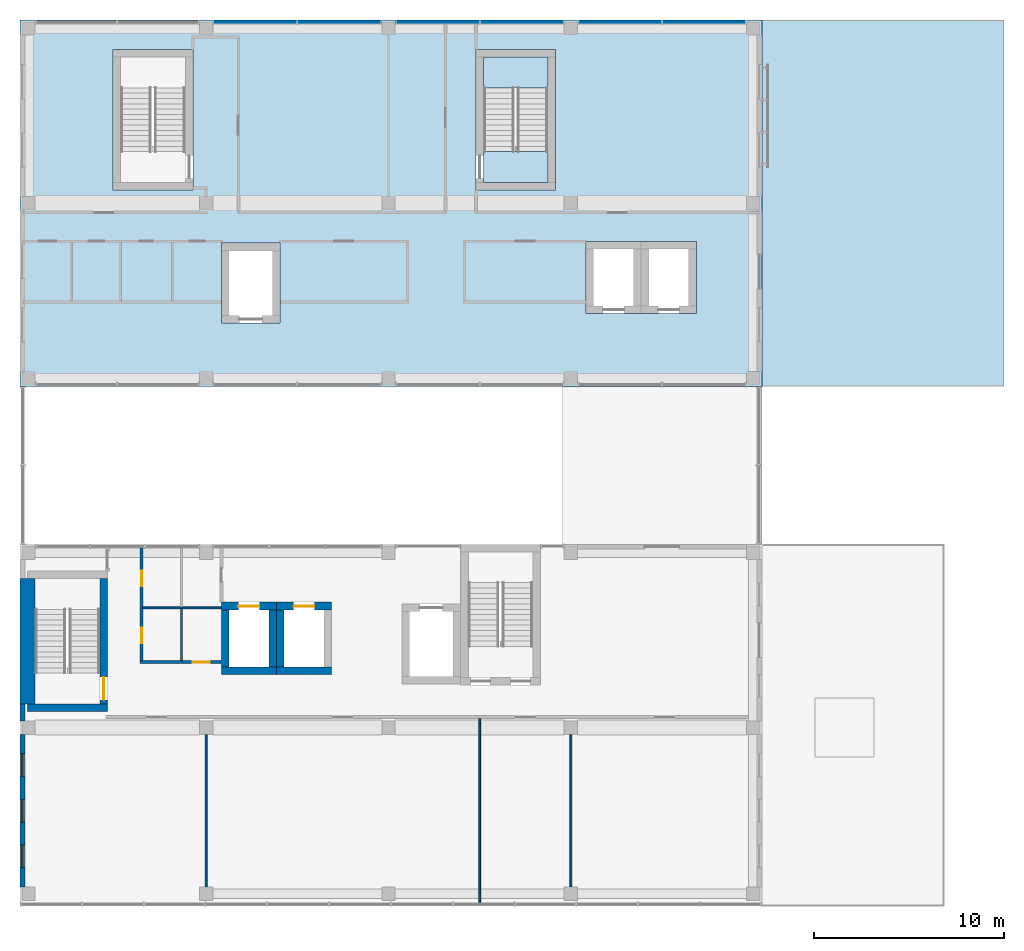
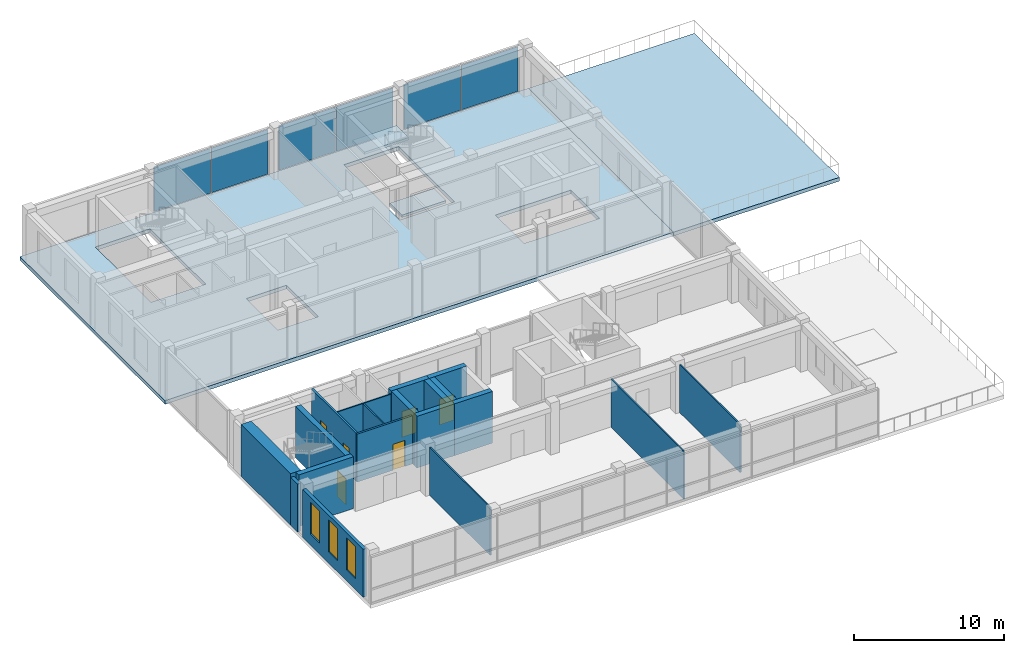
# One storey, part 18 of 27: 19 walls, 6 doors, 6 plates, 4 slabs, 3 windows, 9 openings, 4 elements without a shape of their own.
"""IFC4 building model written with IfcOpenShell, lengths in metres."""

from ifc_helpers import new_model, si_unit, direction, frame, frame_2d, origin, origin_2d, place, context, subcontext, project, spatial, polyline, rectangle, outline, extrude, material, layer, layer_set, layer_usage, type_object, element, fill, aggregate, save


model = new_model("IFC4")

# Units and contexts
model_context = context("Model", 3, precision=1e-05, world=origin(), true_north=direction((0.0, 1.0)))
body_context = subcontext(model_context, "Body", "Model", "MODEL_VIEW")
ifc_project = project(units=[si_unit("LENGTHUNIT", "METRE"), si_unit("AREAUNIT", "SQUARE_METRE"), si_unit("VOLUMEUNIT", "CUBIC_METRE"), si_unit("PLANEANGLEUNIT", "RADIAN"), si_unit("MASSUNIT", "GRAM", prefix="KILO")], contexts=[model_context])

# Site, building, storey
site_placement = place(None, origin())
site = spatial("IfcSite", under=ifc_project, at=site_placement, CompositionType="ELEMENT")
building_placement = place(site_placement, origin())
building = spatial("IfcBuilding", under=site, at=building_placement, Name="Nzadi Deep Aquarium and Research Tower", CompositionType="ELEMENT")
storey_placement = place(building_placement, frame((0.0, 0.0, 69.699951171875)))
storey = spatial("IfcBuildingStorey", under=building, at=storey_placement, Name="L14", CompositionType="ELEMENT", Elevation=69.699951171875)

# Curtain wall, plates
ifc_material_1 = material(Name="Aluminium unitised frame deep", Category="aluminium")
ifc_layer_1 = layer(ifc_material_1, 0.22509765625)
ifc_layer_set_1 = layer_set([ifc_layer_1], Name="Aluminium unitised frame deep")
curtain_wall_type = type_object("IfcCurtainWallType", Name="Curtain wall Unitised Deep 225", PredefinedType="NOTDEFINED", material=ifc_layer_set_1)
curtain_wall_1_placement = place(storey_placement, origin())
curtain_wall_1 = element("IfcCurtainWall", 1, at=curtain_wall_1_placement, inside=storey, type_object=curtain_wall_type, Name="Unitised curtain wall blade B north L14", PredefinedType="NOTDEFINED")
ifc_material_2 = material(Name="Glass, sage tint", Category="glass")
ifc_layer_2 = layer(ifc_material_2, 0.0400390625)
ifc_layer_set_2 = layer_set([ifc_layer_2], Name="Glass, sage tint")
plate_type = type_object("IfcPlateType", Name="Glazing panel 40 Unitised Deep", PredefinedType="CURTAIN_PANEL", material=ifc_layer_set_2)
plate_1_placement = place(storey_placement, frame((12.18994140625, 46.33740234375, 0.139892578125), z_axis=(0.0, 0.0, 1.0), x_axis=(1.0, 0.0, 0.0)))
plate_1 = element("IfcPlate", 2, at=plate_1_placement, type_object=plate_type, Name="CW181 panel 1.1", PredefinedType="CURTAIN_PANEL", context=body_context, shape_type="SweptSolid", body=[
    extrude(rectangle(XDim=4.360107421875, YDim=0.0400390625, at=origin_2d()), origin(), (0.0, 0.0, 1.0), 3.6201171875),
])
plate_2_placement = place(storey_placement, frame((16.610107421875, 46.33740234375, 0.139892578125), z_axis=(0.0, 0.0, 1.0), x_axis=(1.0, 0.0, 0.0)))
plate_2 = element("IfcPlate", 3, at=plate_2_placement, type_object=plate_type, Name="CW181 panel 2.1", PredefinedType="CURTAIN_PANEL", context=body_context, shape_type="SweptSolid", body=[
    extrude(rectangle(XDim=4.360107421875, YDim=0.0400390625, at=origin_2d()), origin(), (0.0, 0.0, 1.0), 3.6201171875),
])
aggregate(curtain_wall_1, [plate_1, plate_2])

curtain_wall_2_placement = place(storey_placement, origin())
curtain_wall_2 = element("IfcCurtainWall", 4, at=curtain_wall_2_placement, inside=storey, type_object=curtain_wall_type, Name="Unitised curtain wall blade B north L14", PredefinedType="NOTDEFINED")
plate_3_placement = place(storey_placement, frame((21.7900390625, 46.33740234375, 0.139892578125), z_axis=(0.0, 0.0, 1.0), x_axis=(1.0, 0.0, 0.0)))
plate_3 = element("IfcPlate", 5, at=plate_3_placement, type_object=plate_type, Name="CW182 panel 1.1", PredefinedType="CURTAIN_PANEL", context=body_context, shape_type="SweptSolid", body=[
    extrude(rectangle(XDim=4.360107421875, YDim=0.0400390625, at=origin_2d()), origin(), (0.0, 0.0, 1.0), 3.6201171875),
])
plate_4_placement = place(storey_placement, frame((26.2099609375, 46.33740234375, 0.139892578125), z_axis=(0.0, 0.0, 1.0), x_axis=(1.0, 0.0, 0.0)))
plate_4 = element("IfcPlate", 6, at=plate_4_placement, type_object=plate_type, Name="CW182 panel 2.1", PredefinedType="CURTAIN_PANEL", context=body_context, shape_type="SweptSolid", body=[
    extrude(rectangle(XDim=4.360107421875, YDim=0.0400390625, at=origin_2d()), origin(), (0.0, 0.0, 1.0), 3.6201171875),
])
aggregate(curtain_wall_2, [plate_3, plate_4])

curtain_wall_3_placement = place(storey_placement, origin())
curtain_wall_3 = element("IfcCurtainWall", 7, at=curtain_wall_3_placement, inside=storey, type_object=curtain_wall_type, Name="Unitised curtain wall blade B north L14", PredefinedType="NOTDEFINED")
plate_5_placement = place(storey_placement, frame((31.389892578125, 46.33740234375, 0.139892578125), z_axis=(0.0, 0.0, 1.0), x_axis=(1.0, 0.0, 0.0)))
plate_5 = element("IfcPlate", 8, at=plate_5_placement, type_object=plate_type, Name="CW183 panel 1.1", PredefinedType="CURTAIN_PANEL", context=body_context, shape_type="SweptSolid", body=[
    extrude(rectangle(XDim=4.360107421875, YDim=0.0400390625, at=origin_2d()), origin(), (0.0, 0.0, 1.0), 3.6201171875),
])
plate_6_placement = place(storey_placement, frame((35.81005859375, 46.33740234375, 0.139892578125), z_axis=(0.0, 0.0, 1.0), x_axis=(1.0, 0.0, 0.0)))
plate_6 = element("IfcPlate", 9, at=plate_6_placement, type_object=plate_type, Name="CW183 panel 2.1", PredefinedType="CURTAIN_PANEL", context=body_context, shape_type="SweptSolid", body=[
    extrude(rectangle(XDim=4.360107421875, YDim=0.0400390625, at=origin_2d()), origin(), (0.0, 0.0, 1.0), 3.6201171875),
])
aggregate(curtain_wall_3, [plate_5, plate_6])

# Stair, slabs
ifc_material_3 = material(Name="Concrete C35/45", Category="concrete")
stair_type = type_object("IfcStairType", Name="STAIR RETURN 3000", PredefinedType="NOTDEFINED", material=ifc_material_3)
stair_placement = place(storey_placement, origin())
stair = element("IfcStair", 10, at=stair_placement, inside=storey, type_object=stair_type, Name="Stair ST-Z1-NE L14", PredefinedType="HALF_TURN_STAIR")
ifc_material_4 = material(Name="Concrete C35/45", Category="concrete")
ifc_layer_3 = layer(ifc_material_4, 0.199951171875)
ifc_layer_set_3 = layer_set([ifc_layer_3], Name="Concrete C35/45")
slab_type_1 = type_object("IfcSlabType", Name="LANDING 200", PredefinedType="LANDING", material=ifc_layer_set_3)
slab_1_placement = place(storey_placement, frame((0.0, 0.0, -0.199951171875)))
slab_1 = element("IfcSlab", 11, at=slab_1_placement, type_object=slab_type_1, Name="ST-Z1-NE landing 1", PredefinedType="LANDING", context=body_context, shape_type="SweptSolid", body=[
    extrude(outline(polyline([(24.199951171875, 37.89990234375), (27.60009765625, 37.89990234375), (27.60009765625, 39.52001953125), (24.199951171875, 39.52001953125), (24.199951171875, 37.89990234375)])), origin(), (0.0, 0.0, 1.0), 0.199951171875),
])
slab_2_placement = place(storey_placement, frame((0.0, 0.0, 1.900146484375)))
slab_2 = element("IfcSlab", 12, at=slab_2_placement, type_object=slab_type_1, Name="ST-Z1-NE landing 2", PredefinedType="LANDING", context=body_context, shape_type="SweptSolid", body=[
    extrude(outline(polyline([(24.199951171875, 42.8798828125), (27.60009765625, 42.8798828125), (27.60009765625, 44.5), (24.199951171875, 44.5), (24.199951171875, 42.8798828125)])), origin(), (0.0, 0.0, 1.0), 0.199951171875),
])
aggregate(stair, [slab_1, slab_2])

# Slabs
ifc_material_5 = material(Name="Concrete C35/45", Category="concrete")
ifc_layer_4 = layer(ifc_material_5, 0.300048828125)
ifc_layer_set_4 = layer_set([ifc_layer_4], Name="Concrete C35/45")
slab_type_2 = type_object("IfcSlabType", Name="RC floor slab 300", PredefinedType="FLOOR", material=ifc_layer_set_4)
slab_3_placement = place(storey_placement, frame((0.0, 0.0, -0.300048828125)))
element("IfcSlab", 13, at=slab_3_placement, inside=storey, type_object=slab_type_2, Name="Tower floor B L14", PredefinedType="FLOOR", context=body_context, shape_type="SweptSolid", body=[
    extrude(outline(polyline([(-0.199462890625, 27.14990234375), (38.85009765625, 27.14990234375), (38.85009765625, 46.449951171875), (-0.199462890625, 46.449951171875), (-0.199462890625, 27.14990234375)]), holes=[polyline([(8.89990234375, 44.89990234375), (8.89990234375, 37.5), (4.699951171875, 37.5), (4.699951171875, 44.89990234375), (8.89990234375, 44.89990234375)]), polyline([(28.0, 37.5), (23.800048828125, 37.5), (23.800048828125, 44.89990234375), (28.0, 44.89990234375), (28.0, 37.5)]), polyline([(10.39990234375, 30.5), (10.39990234375, 34.699951171875), (13.5, 34.699951171875), (13.5, 30.5), (10.39990234375, 30.5)]), polyline([(29.60009765625, 34.800048828125), (32.5, 34.800048828125), (35.39990234375, 34.800048828125), (35.39990234375, 31.0), (32.5, 31.0), (29.60009765625, 31.0), (29.60009765625, 34.800048828125)])]), origin(), (0.0, 0.0, 1.0), 0.300048828125),
])
ifc_material_6 = material(Name="Concrete C35/45", Category="concrete")
ifc_layer_5 = layer(ifc_material_6, 0.300048828125)
ifc_layer_set_5 = layer_set([ifc_layer_5], Name="Concrete C35/45")
slab_type_3 = type_object("IfcSlabType", Name="RC roof slab 300", PredefinedType="ROOF", material=ifc_layer_set_5)
slab_4_placement = place(storey_placement, frame((0.0, 0.0, -0.300048828125)))
element("IfcSlab", 14, at=slab_4_placement, inside=storey, type_object=slab_type_3, Name="Terrace B L14", PredefinedType="ROOF", context=body_context, shape_type="SweptSolid", body=[
    extrude(outline(polyline([(51.60009765625, 27.14990234375), (51.60009765625, 46.449951171875), (38.85009765625, 46.449951171875), (38.85009765625, 27.14990234375), (51.60009765625, 27.14990234375)])), origin(), (0.0, 0.0, 1.0), 0.300048828125),
])

# Wall
ifc_material_7 = material(Name="Concrete C35/45", Category="concrete")
ifc_layer_6 = layer(ifc_material_7, 0.14990234375, Category="cladding")
ifc_material_8 = material(Name="Mineral wool insulation")
ifc_layer_7 = layer(ifc_material_8, 0.070068359375, Category="insulation")
ifc_material_9 = material(Name="Gypsum board lining")
ifc_layer_8 = layer(ifc_material_9, 0.030029296875, Category="lining")
ifc_layer_set_6 = layer_set([ifc_layer_6, ifc_layer_7, ifc_layer_8], Name="Concrete C35/45, Mineral wool insulation, Gypsum board lining")
ifc_layer_usage_1 = layer_usage(ifc_layer_set_6, "AXIS2", "POSITIVE", -0.125)
wall_type_1 = type_object("IfcWallType", Name="End wall board-formed concrete 250", PredefinedType="ELEMENTEDWALL", material=ifc_layer_set_6)
wall_1_placement = place(storey_placement, frame((-0.074462890625, 10.449951171875, 0.0), z_axis=(0.0, 0.0, 1.0), x_axis=(0.0, -1.0, 0.0)))
element("IfcWall", 15, at=wall_1_placement, inside=storey, type_object=wall_type_1, material=ifc_layer_usage_1, Name="End wall blade A west L14", PredefinedType="ELEMENTEDWALL", context=body_context, shape_type="SweptSolid", body=[
    extrude(rectangle(XDim=0.89990234375, YDim=0.25, at=frame_2d((0.449951171875, 0.0))), origin(), (0.0, 0.0, 1.0), 3.900146484375),
])

# Wall, openings, windows
ifc_material_10 = material(Name="Graphite aluminium shingle", Category="aluminium")
ifc_layer_9 = layer(ifc_material_10, 0.050048828125, Category="cladding")
ifc_layer_10 = layer(ifc_material_7, 0.10009765625, Category="cladding")
ifc_layer_11 = layer(ifc_material_8, 0.070068359375, Category="insulation")
ifc_layer_12 = layer(ifc_material_9, 0.030029296875, Category="lining")
ifc_layer_set_7 = layer_set([ifc_layer_9, ifc_layer_10, ifc_layer_11, ifc_layer_12], Name="Graphite aluminium shingle, Concrete C35/45, Mineral wool insulation, Gypsum board lining")
ifc_layer_usage_2 = layer_usage(ifc_layer_set_7, "AXIS2", "POSITIVE", -0.125)
wall_type_2 = type_object("IfcWallType", Name="End wall shingle over board-formed concrete 250", PredefinedType="ELEMENTEDWALL", material=ifc_layer_set_7)
wall_2_placement = place(storey_placement, frame((-0.074462890625, 8.85009765625, 0.0), z_axis=(0.0, 0.0, 1.0), x_axis=(0.0, -1.0, 0.0)))
wall_2 = element("IfcWall", 16, at=wall_2_placement, inside=storey, type_object=wall_type_2, material=ifc_layer_usage_2, Name="End wall blade A west L14", PredefinedType="ELEMENTEDWALL", context=body_context, shape_type="SweptSolid", body=[
    extrude(rectangle(XDim=8.050048828125, YDim=0.25, at=frame_2d((4.02490234375, 0.0))), origin(), (0.0, 0.0, 1.0), 3.900146484375),
])
opening_1_placement = place(wall_2_placement, frame((5.824951171875, 0.0, 0.89990234375)))
opening_1 = element("IfcOpeningElement", 17, at=opening_1_placement, cuts=wall_2, Name="Opening WN04", PredefinedType="OPENING", context=body_context, shape_type="SweptSolid", body=[
    extrude(rectangle(XDim=1.199951171875, YDim=2.60009765625, at=frame_2d((0.60009765625, 1.300048828125))), frame((0.0, 0.135009765625, 0.0), z_axis=(0.0, -1.0, 0.0), x_axis=(1.0, 0.0, 0.0)), (0.0, 0.0, 1.0), 0.27001953125),
])
opening_2_placement = place(wall_2_placement, frame((3.425048828125, 0.0, 0.89990234375)))
opening_2 = element("IfcOpeningElement", 18, at=opening_2_placement, cuts=wall_2, Name="Opening WN04", PredefinedType="OPENING", context=body_context, shape_type="SweptSolid", body=[
    extrude(rectangle(XDim=1.199951171875, YDim=2.60009765625, at=frame_2d((0.60009765625, 1.300048828125))), frame((0.0, 0.135009765625, 0.0), z_axis=(0.0, -1.0, 0.0), x_axis=(1.0, 0.0, 0.0)), (0.0, 0.0, 1.0), 0.27001953125),
])
opening_3_placement = place(wall_2_placement, frame((1.02490234375, 0.0, 0.89990234375)))
opening_3 = element("IfcOpeningElement", 19, at=opening_3_placement, cuts=wall_2, Name="Opening WN04", PredefinedType="OPENING", context=body_context, shape_type="SweptSolid", body=[
    extrude(rectangle(XDim=1.199951171875, YDim=2.60009765625, at=frame_2d((0.60009765625, 1.300048828125))), frame((0.0, 0.135009765625, 0.0), z_axis=(0.0, -1.0, 0.0), x_axis=(1.0, 0.0, 0.0)), (0.0, 0.0, 1.0), 0.27001953125),
])
ifc_material_11 = material(Name="Aluminium window, sage tint glazing", Category="aluminium")
window_type = type_object("IfcWindowType", Name="Slot window 1200x2600 sill 900", PartitioningType="SINGLE_PANEL", PredefinedType="WINDOW", material=ifc_material_11)
window_1_placement = place(opening_1_placement, origin())
window_1 = element("IfcWindow", 20, at=window_1_placement, inside=storey, type_object=window_type, Name="Slot window L14 AW", OverallHeight=2.60009765625, OverallWidth=1.199951171875, PartitioningType="SINGLE_PANEL", PredefinedType="WINDOW", context=body_context, shape_type="SweptSolid", body=[
    extrude(rectangle(XDim=1.199951171875, YDim=2.60009765625, at=frame_2d((0.60009765625, 1.300048828125))), frame((0.0, 0.030029296875, 0.0), z_axis=(0.0, -1.0, 0.0), x_axis=(1.0, 0.0, 0.0)), (0.0, 0.0, 1.0), 0.06005859375),
])
fill(opening_1, window_1)
window_2_placement = place(opening_2_placement, origin())
window_2 = element("IfcWindow", 21, at=window_2_placement, inside=storey, type_object=window_type, Name="Slot window L14 AW", OverallHeight=2.60009765625, OverallWidth=1.199951171875, PartitioningType="SINGLE_PANEL", PredefinedType="WINDOW", context=body_context, shape_type="SweptSolid", body=[
    extrude(rectangle(XDim=1.199951171875, YDim=2.60009765625, at=frame_2d((0.60009765625, 1.300048828125))), frame((0.0, 0.030029296875, 0.0), z_axis=(0.0, -1.0, 0.0), x_axis=(1.0, 0.0, 0.0)), (0.0, 0.0, 1.0), 0.06005859375),
])
fill(opening_2, window_2)
window_3_placement = place(opening_3_placement, origin())
window_3 = element("IfcWindow", 22, at=window_3_placement, inside=storey, type_object=window_type, Name="Slot window L14 AW", OverallHeight=2.60009765625, OverallWidth=1.199951171875, PartitioningType="SINGLE_PANEL", PredefinedType="WINDOW", context=body_context, shape_type="SweptSolid", body=[
    extrude(rectangle(XDim=1.199951171875, YDim=2.60009765625, at=frame_2d((0.60009765625, 1.300048828125))), frame((0.0, 0.030029296875, 0.0), z_axis=(0.0, -1.0, 0.0), x_axis=(1.0, 0.0, 0.0)), (0.0, 0.0, 1.0), 0.06005859375),
])
fill(opening_3, window_3)

# Walls
ifc_material_12 = material(Name="Blockwork masonry", Category="masonry")
ifc_layer_13 = layer(ifc_material_12, 0.10009765625)
ifc_layer_set_8 = layer_set([ifc_layer_13], Name="Blockwork masonry")
wall_type_3 = type_object("IfcWallType", Name="Partition 100 EI 30", PredefinedType="PARTITIONING", material=ifc_layer_set_8)
wall_3_placement = place(storey_placement, frame((6.27490234375, 15.5, 0.0), z_axis=(0.0, 0.0, 1.0), x_axis=(1.0, 0.0, 0.0)))
element("IfcWall", 23, at=wall_3_placement, inside=storey, type_object=wall_type_3, Name="W-Z1-L14-P010", PredefinedType="PARTITIONING", context=body_context, shape_type="SweptSolid", body=[
    extrude(rectangle(XDim=4.119140625, YDim=0.10009765625, at=frame_2d((2.0595703125, 0.0))), origin(), (0.0, 0.0, 1.0), 3.900146484375),
])
wall_4_placement = place(storey_placement, frame((8.300048828125, 12.72509765625, 0.0), z_axis=(0.0, 0.0, 1.0), x_axis=(0.0, 1.0, 0.0)))
element("IfcWall", 24, at=wall_4_placement, inside=storey, type_object=wall_type_3, Name="W-Z1-L14-P012", PredefinedType="PARTITIONING", context=body_context, shape_type="SweptSolid", body=[
    extrude(rectangle(XDim=2.724853515625, YDim=0.10009765625, at=frame_2d((1.3623046875, 0.0))), origin(), (0.0, 0.0, 1.0), 3.900146484375),
])
wall_5_placement = place(storey_placement, frame((9.60009765625, 0.800048828125, 0.0), z_axis=(0.0, 0.0, 1.0), x_axis=(0.0, 1.0, 0.0)))
element("IfcWall", 25, at=wall_5_placement, inside=storey, type_object=wall_type_3, Name="W-Z1-L14-P018", PredefinedType="PARTITIONING", context=body_context, shape_type="SweptSolid", body=[
    extrude(rectangle(XDim=8.050048828125, YDim=0.10009765625, at=frame_2d((4.02490234375, 0.0))), origin(), (0.0, 0.0, 1.0), 3.900146484375),
])
wall_6_placement = place(storey_placement, frame((24.0, 0.006103515625, 0.0), z_axis=(0.0, 0.0, 1.0), x_axis=(0.0, 1.0, 0.0)))
element("IfcWall", 26, at=wall_6_placement, inside=storey, type_object=wall_type_3, Name="W-Z1-L14-P033", PredefinedType="PARTITIONING", context=body_context, shape_type="SweptSolid", body=[
    extrude(rectangle(XDim=9.6689453125, YDim=0.10009765625, at=frame_2d((4.83447265625, 0.0))), origin(), (0.0, 0.0, 1.0), 3.900146484375),
])
wall_7_placement = place(storey_placement, frame((28.800048828125, 0.800048828125, 0.0), z_axis=(0.0, 0.0, 1.0), x_axis=(0.0, 1.0, 0.0)))
element("IfcWall", 27, at=wall_7_placement, inside=storey, type_object=wall_type_3, Name="W-Z1-L14-P034", PredefinedType="PARTITIONING", context=body_context, shape_type="SweptSolid", body=[
    extrude(rectangle(XDim=8.050048828125, YDim=0.10009765625, at=frame_2d((4.02490234375, 0.0))), origin(), (0.0, 0.0, 1.0), 3.900146484375),
])

# Wall, opening, door
ifc_material_13 = material(Name="Blockwork masonry", Category="masonry")
ifc_layer_14 = layer(ifc_material_13, 0.14990234375)
ifc_layer_set_9 = layer_set([ifc_layer_14], Name="Blockwork masonry")
wall_type_4 = type_object("IfcWallType", Name="Partition 150 EI 60", PredefinedType="PARTITIONING", material=ifc_layer_set_9)
wall_8_placement = place(storey_placement, frame((6.125, 12.64990234375, 0.0), z_axis=(0.0, 0.0, 1.0), x_axis=(1.0, 0.0, 0.0)))
wall_8 = element("IfcWall", 28, at=wall_8_placement, inside=storey, type_object=wall_type_4, Name="W-Z1-L14-P008", PredefinedType="PARTITIONING", context=body_context, shape_type="SweptSolid", body=[
    extrude(rectangle(XDim=4.26904296875, YDim=0.14990234375, at=frame_2d((2.134521484375, 0.0))), origin(), (0.0, 0.0, 1.0), 3.900146484375),
])
opening_4_placement = place(wall_8_placement, frame((2.77490234375, 0.0, 0.0)))
opening_4 = element("IfcOpeningElement", 29, at=opening_4_placement, cuts=wall_8, Name="Opening D151003", PredefinedType="OPENING", context=body_context, shape_type="SweptSolid", body=[
    extrude(rectangle(XDim=0.89990234375, YDim=2.10009765625, at=frame_2d((0.449951171875, 1.050048828125))), frame((0.0, 0.0849609375, 0.0), z_axis=(0.0, -1.0, 0.0), x_axis=(1.0, 0.0, 0.0)), (0.0, 0.0, 1.0), 0.169921875),
])
ifc_material_14 = material(Name="Fire-rated steel door", Category="steel")
ifc_layer_15 = layer(ifc_material_14, 0.050048828125)
ifc_layer_set_10 = layer_set([ifc_layer_15], Name="Fire-rated steel door")
door_type_1 = type_object("IfcDoorType", Name="Door 900x2100 EI 60 single", OperationType="SINGLE_SWING_LEFT", PredefinedType="DOOR", material=ifc_layer_set_10)
door_1_placement = place(opening_4_placement, origin())
door_1 = element("IfcDoor", 30, at=door_1_placement, inside=storey, type_object=door_type_1, Name="D151003", OperationType="SINGLE_SWING_RIGHT", OverallHeight=2.10009765625, OverallWidth=0.89990234375, PredefinedType="DOOR", context=body_context, shape_type="SweptSolid", body=[
    extrude(rectangle(XDim=0.89990234375, YDim=2.10009765625, at=frame_2d((0.449951171875, 1.050048828125))), frame((0.0, 0.02490234375, 0.0), z_axis=(0.0, -1.0, 0.0), x_axis=(1.0, 0.0, 0.0)), (0.0, 0.0, 1.0), 0.050048828125),
])
fill(opening_4, door_1)

# Wall, openings, doors
wall_9_placement = place(storey_placement, frame((6.199951171875, 12.72509765625, 0.0), z_axis=(0.0, 0.0, 1.0), x_axis=(0.0, 1.0, 0.0)))
wall_9 = element("IfcWall", 31, at=wall_9_placement, inside=storey, type_object=wall_type_4, Name="W-Z1-L14-P009", PredefinedType="PARTITIONING", context=body_context, shape_type="SweptSolid", body=[
    extrude(rectangle(XDim=5.9189453125, YDim=0.14990234375, at=frame_2d((2.95947265625, 0.0))), origin(), (0.0, 0.0, 1.0), 3.900146484375),
])
opening_5_placement = place(wall_9_placement, frame((0.925048828125, 0.0, 0.0)))
opening_5 = element("IfcOpeningElement", 32, at=opening_5_placement, cuts=wall_9, Name="Opening D151002", PredefinedType="OPENING", context=body_context, shape_type="SweptSolid", body=[
    extrude(rectangle(XDim=0.800048828125, YDim=2.10009765625, at=frame_2d((0.39990234375, 1.050048828125))), frame((0.0, 0.0849609375, 0.0), z_axis=(0.0, -1.0, 0.0), x_axis=(1.0, 0.0, 0.0)), (0.0, 0.0, 1.0), 0.169921875),
])
opening_6_placement = place(wall_9_placement, frame((3.925048828125, 0.0, 0.0)))
opening_6 = element("IfcOpeningElement", 33, at=opening_6_placement, cuts=wall_9, Name="Opening D151004", PredefinedType="OPENING", context=body_context, shape_type="SweptSolid", body=[
    extrude(rectangle(XDim=0.800048828125, YDim=2.10009765625, at=frame_2d((0.39990234375, 1.050048828125))), frame((0.0, 0.0849609375, 0.0), z_axis=(0.0, -1.0, 0.0), x_axis=(1.0, 0.0, 0.0)), (0.0, 0.0, 1.0), 0.169921875),
])
ifc_material_15 = material(Name="Fire-rated steel door", Category="steel")
ifc_layer_16 = layer(ifc_material_15, 0.050048828125)
ifc_layer_set_11 = layer_set([ifc_layer_16], Name="Fire-rated steel door")
door_type_2 = type_object("IfcDoorType", Name="Door 800x2100 EI 60 single", OperationType="SINGLE_SWING_LEFT", PredefinedType="DOOR", material=ifc_layer_set_11)
door_2_placement = place(opening_5_placement, origin())
door_2 = element("IfcDoor", 34, at=door_2_placement, inside=storey, type_object=door_type_2, Name="D151002", OperationType="SINGLE_SWING_LEFT", OverallHeight=2.10009765625, OverallWidth=0.800048828125, PredefinedType="DOOR", context=body_context, shape_type="SweptSolid", body=[
    extrude(rectangle(XDim=0.800048828125, YDim=2.10009765625, at=frame_2d((0.39990234375, 1.050048828125))), frame((0.0, 0.02490234375, 0.0), z_axis=(0.0, -1.0, 0.0), x_axis=(1.0, 0.0, 0.0)), (0.0, 0.0, 1.0), 0.050048828125),
])
fill(opening_5, door_2)
door_3_placement = place(opening_6_placement, origin())
door_3 = element("IfcDoor", 35, at=door_3_placement, inside=storey, type_object=door_type_2, Name="D151004", OperationType="SINGLE_SWING_LEFT", OverallHeight=2.10009765625, OverallWidth=0.800048828125, PredefinedType="DOOR", context=body_context, shape_type="SweptSolid", body=[
    extrude(rectangle(XDim=0.800048828125, YDim=2.10009765625, at=frame_2d((0.39990234375, 1.050048828125))), frame((0.0, 0.02490234375, 0.0), z_axis=(0.0, -1.0, 0.0), x_axis=(1.0, 0.0, 0.0)), (0.0, 0.0, 1.0), 0.050048828125),
])
fill(opening_6, door_3)

# Wall
ifc_material_16 = material(Name="Concrete C35/45", Category="concrete")
ifc_layer_17 = layer(ifc_material_16, 0.39990234375)
ifc_layer_set_12 = layer_set([ifc_layer_17], Name="Concrete C35/45")
wall_type_5 = type_object("IfcWallType", Name="RC core wall 400", PredefinedType="SHEAR", material=ifc_layer_set_12)
wall_10_placement = place(storey_placement, frame((0.199951171875, 10.25, 0.0), z_axis=(0.0, 0.0, 1.0), x_axis=(1.0, 0.0, 0.0)))
element("IfcWall", 36, at=wall_10_placement, inside=storey, type_object=wall_type_5, Name="W-CORE-ST-Z1-SW-L14-S", PredefinedType="SHEAR", context=body_context, shape_type="SweptSolid", body=[
    extrude(rectangle(XDim=4.199951171875, YDim=0.39990234375, at=frame_2d((2.10009765625, 0.0))), origin(), (0.0, 0.0, 1.0), 4.199951171875),
])

# Wall, opening, door
wall_11_placement = place(storey_placement, frame((4.199951171875, 10.449951171875, 0.0), z_axis=(0.0, 0.0, 1.0), x_axis=(0.0, 1.0, 0.0)))
wall_11 = element("IfcWall", 37, at=wall_11_placement, inside=storey, type_object=wall_type_5, Name="W-CORE-ST-Z1-SW-L14-E", PredefinedType="SHEAR", context=body_context, shape_type="SweptSolid", body=[
    extrude(rectangle(XDim=6.60009765625, YDim=0.39990234375, at=frame_2d((3.300048828125, 0.0))), origin(), (0.0, 0.0, 1.0), 4.199951171875),
])
opening_7_placement = place(wall_11_placement, frame((0.2099609375, 0.0, 0.0)))
opening_7 = element("IfcOpeningElement", 38, at=opening_7_placement, cuts=wall_11, Name="Opening DS-Z1-SW-L14", PredefinedType="OPENING", context=body_context, shape_type="SweptSolid", body=[
    extrude(rectangle(XDim=1.199951171875, YDim=2.10009765625, at=frame_2d((0.60009765625, 1.050048828125))), frame((0.0, 0.2099609375, 0.0), z_axis=(0.0, -1.0, 0.0), x_axis=(1.0, 0.0, 0.0)), (0.0, 0.0, 1.0), 0.419921875),
])
ifc_material_17 = material(Name="Steel, powder coated", Category="steel")
door_type_3 = type_object("IfcDoorType", Name="STAIR DOOR 1200x2100 EI 60", OperationType="SINGLE_SWING_LEFT", PredefinedType="DOOR", material=ifc_material_17)
door_4_placement = place(opening_7_placement, origin())
door_4 = element("IfcDoor", 39, at=door_4_placement, inside=storey, type_object=door_type_3, Name="Stair door ST-Z1-SW L14", OperationType="SINGLE_SWING_RIGHT", OverallHeight=2.10009765625, OverallWidth=1.199951171875, PredefinedType="DOOR", context=body_context, shape_type="SweptSolid", body=[
    extrude(rectangle(XDim=1.199951171875, YDim=2.10009765625, at=frame_2d((0.60009765625, 1.050048828125))), frame((0.0, 0.02490234375, 0.0), z_axis=(0.0, -1.0, 0.0), x_axis=(1.0, 0.0, 0.0)), (0.0, 0.0, 1.0), 0.050048828125),
])
fill(opening_7, door_4)

# Wall
wall_12_placement = place(storey_placement, frame((10.39990234375, 12.199951171875, 0.0), z_axis=(0.0, 0.0, 1.0), x_axis=(1.0, 0.0, 0.0)))
element("IfcWall", 40, at=wall_12_placement, inside=storey, type_object=wall_type_5, Name="W-CORE-TL1-L14-S", PredefinedType="SHEAR", context=body_context, shape_type="SweptSolid", body=[
    extrude(rectangle(XDim=2.900146484375, YDim=0.39990234375, at=frame_2d((1.4501953125, 0.0))), origin(), (0.0, 0.0, 1.0), 4.199951171875),
])

# Wall, opening, door
wall_13_placement = place(storey_placement, frame((10.39990234375, 15.60009765625, 0.0), z_axis=(0.0, 0.0, 1.0), x_axis=(1.0, 0.0, 0.0)))
wall_13 = element("IfcWall", 41, at=wall_13_placement, inside=storey, type_object=wall_type_5, Name="W-CORE-TL1-L14-N", PredefinedType="SHEAR", context=body_context, shape_type="SweptSolid", body=[
    extrude(rectangle(XDim=2.900146484375, YDim=0.39990234375, at=frame_2d((1.4501953125, 0.0))), origin(), (0.0, 0.0, 1.0), 4.199951171875),
])
opening_8_placement = place(wall_13_placement, frame((0.89990234375, 0.0, 0.0)))
opening_8 = element("IfcOpeningElement", 42, at=opening_8_placement, cuts=wall_13, Name="Opening LD-TL1-L14", PredefinedType="OPENING", context=body_context, shape_type="SweptSolid", body=[
    extrude(rectangle(XDim=1.10009765625, YDim=2.10009765625, at=frame_2d((0.550048828125, 1.050048828125))), frame((0.0, 0.2099609375, 0.0), z_axis=(0.0, -1.0, 0.0), x_axis=(1.0, 0.0, 0.0)), (0.0, 0.0, 1.0), 0.419921875),
])
ifc_material_18 = material(Name="Stainless steel 1.4301", Category="steel")
door_type_4 = type_object("IfcDoorType", Name="LANDING DOOR 1100x2100", OperationType="DOUBLE_DOOR_SLIDING", PredefinedType="DOOR", material=ifc_material_18)
door_5_placement = place(opening_8_placement, origin())
door_5 = element("IfcDoor", 43, at=door_5_placement, inside=storey, type_object=door_type_4, Name="Landing door TL1 L14", OperationType="DOUBLE_DOOR_SLIDING", OverallHeight=2.10009765625, OverallWidth=1.10009765625, PredefinedType="DOOR", context=body_context, shape_type="SweptSolid", body=[
    extrude(rectangle(XDim=1.10009765625, YDim=2.10009765625, at=frame_2d((0.550048828125, 1.050048828125))), frame((0.0, 0.02490234375, 0.0), z_axis=(0.0, -1.0, 0.0), x_axis=(1.0, 0.0, 0.0)), (0.0, 0.0, 1.0), 0.050048828125),
])
fill(opening_8, door_5)

# Walls
for number, where, z_axis, x_axis, name in (
    (44, (10.60009765625, 12.39990234375, 0.0), (0.0, 0.0, 1.0), (0.0, 1.0, 0.0), "W-CORE-TL1-L14-W"),
    (45, (13.10009765625, 12.39990234375, 0.0), (0.0, 0.0, 1.0), (0.0, 1.0, 0.0), "W-CORE-TL1-L14-E"),
):
    element("IfcWall", number, at=place(storey_placement, frame(where, z_axis=z_axis, x_axis=x_axis)), inside=storey, type_object=wall_type_5, Name=name, PredefinedType="SHEAR", context=body_context, shape_type="SweptSolid", body=[
        extrude(rectangle(XDim=3.0, YDim=0.39990234375, at=frame_2d((1.5, 0.0))), origin(), (0.0, 0.0, 1.0), 4.199951171875),
    ])
wall_14_placement = place(storey_placement, frame((13.300048828125, 12.199951171875, 0.0), z_axis=(0.0, 0.0, 1.0), x_axis=(1.0, 0.0, 0.0)))
element("IfcWall", 46, at=wall_14_placement, inside=storey, type_object=wall_type_5, Name="W-CORE-TL2-L14-S", PredefinedType="SHEAR", context=body_context, shape_type="SweptSolid", body=[
    extrude(rectangle(XDim=2.89990234375, YDim=0.39990234375, at=frame_2d((1.449951171875, 0.0))), origin(), (0.0, 0.0, 1.0), 4.199951171875),
])

# Wall, opening, door
wall_15_placement = place(storey_placement, frame((13.300048828125, 15.60009765625, 0.0), z_axis=(0.0, 0.0, 1.0), x_axis=(1.0, 0.0, 0.0)))
wall_15 = element("IfcWall", 47, at=wall_15_placement, inside=storey, type_object=wall_type_5, Name="W-CORE-TL2-L14-N", PredefinedType="SHEAR", context=body_context, shape_type="SweptSolid", body=[
    extrude(rectangle(XDim=2.89990234375, YDim=0.39990234375, at=frame_2d((1.449951171875, 0.0))), origin(), (0.0, 0.0, 1.0), 4.199951171875),
])
opening_9_placement = place(wall_15_placement, frame((0.89990234375, 0.0, 0.0)))
opening_9 = element("IfcOpeningElement", 48, at=opening_9_placement, cuts=wall_15, Name="Opening LD-TL2-L14", PredefinedType="OPENING", context=body_context, shape_type="SweptSolid", body=[
    extrude(rectangle(XDim=1.10009765625, YDim=2.10009765625, at=frame_2d((0.550048828125, 1.050048828125))), frame((0.0, 0.2099609375, 0.0), z_axis=(0.0, -1.0, 0.0), x_axis=(1.0, 0.0, 0.0)), (0.0, 0.0, 1.0), 0.419921875),
])
door_6_placement = place(opening_9_placement, origin())
door_6 = element("IfcDoor", 49, at=door_6_placement, inside=storey, type_object=door_type_4, Name="Landing door TL2 L14", OperationType="DOUBLE_DOOR_SLIDING", OverallHeight=2.10009765625, OverallWidth=1.10009765625, PredefinedType="DOOR", context=body_context, shape_type="SweptSolid", body=[
    extrude(rectangle(XDim=1.10009765625, YDim=2.10009765625, at=frame_2d((0.550048828125, 1.050048828125))), frame((0.0, 0.02490234375, 0.0), z_axis=(0.0, -1.0, 0.0), x_axis=(1.0, 0.0, 0.0)), (0.0, 0.0, 1.0), 0.050048828125),
])
fill(opening_9, door_6)

# Walls
wall_16_placement = place(storey_placement, frame((13.5, 12.39990234375, 0.0), z_axis=(0.0, 0.0, 1.0), x_axis=(0.0, 1.0, 0.0)))
element("IfcWall", 50, at=wall_16_placement, inside=storey, type_object=wall_type_5, Name="W-CORE-TL2-L14-W", PredefinedType="SHEAR", context=body_context, shape_type="SweptSolid", body=[
    extrude(rectangle(XDim=3.0, YDim=0.39990234375, at=frame_2d((1.5, 0.0))), origin(), (0.0, 0.0, 1.0), 4.199951171875),
])
ifc_material_19 = material(Name="Concrete C35/45", Category="concrete")
ifc_layer_18 = layer(ifc_material_19, 0.800048828125)
ifc_layer_set_13 = layer_set([ifc_layer_18], Name="Concrete C35/45")
wall_type_6 = type_object("IfcWallType", Name="RC core wall 800", PredefinedType="SHEAR", material=ifc_layer_set_13)
wall_17_placement = place(storey_placement, frame((0.200439453125, 10.449951171875, 0.0), z_axis=(0.0, 0.0, 1.0), x_axis=(0.0, 1.0, 0.0)))
element("IfcWall", 51, at=wall_17_placement, inside=storey, type_object=wall_type_6, Name="W-CORE-ST-Z1-SW-L14-W", PredefinedType="SHEAR", context=body_context, shape_type="SweptSolid", body=[
    extrude(rectangle(XDim=6.60009765625, YDim=0.800048828125, at=frame_2d((3.300048828125, 0.0))), origin(), (0.0, 0.0, 1.0), 4.199951171875),
])

save(model, "model.ifc")
